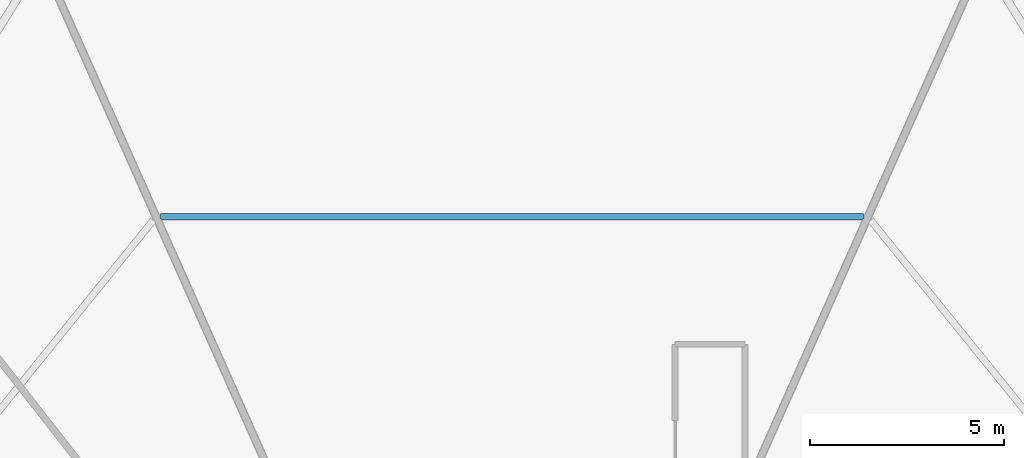
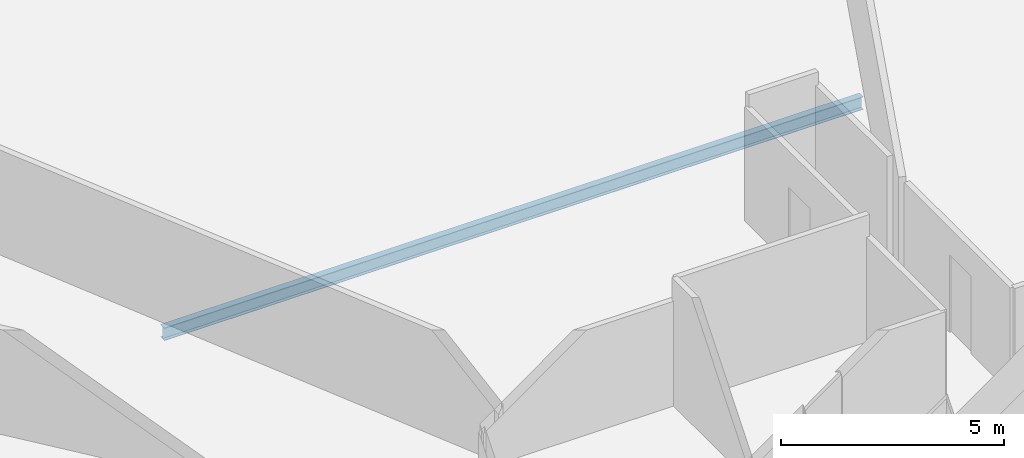
# One storey, part 19 of 33: 1 beam.
"""IFC4 building model written with IfcOpenShell, lengths in metres."""

from ifc_helpers import new_model, si_unit, direction, frame, origin, origin_2d, place, context, subcontext, project, spatial, i_section, extrude, source, transform, mapped, material, material_profile, profile_set, type_object, element, save


model = new_model("IFC4")

# Units and contexts
model_context = context("Model", 3, precision=1e-05, world=origin(), true_north=direction((0.0, 1.0)))
body_context = subcontext(model_context, "Body", "Model", "MODEL_VIEW")
ifc_project = project(units=[si_unit("LENGTHUNIT", "METRE"), si_unit("AREAUNIT", "SQUARE_METRE"), si_unit("VOLUMEUNIT", "CUBIC_METRE"), si_unit("PLANEANGLEUNIT", "RADIAN"), si_unit("MASSUNIT", "GRAM", prefix="KILO"), si_unit("THERMODYNAMICTEMPERATUREUNIT", "KELVIN"), si_unit("POWERUNIT", "WATT")], contexts=[model_context])

# Site, building, storey
site_placement = place(None, origin())
site = spatial("IfcSite", under=ifc_project, at=site_placement, CompositionType="ELEMENT")
building_placement = place(site_placement, origin())
building = spatial("IfcBuilding", under=site, at=building_placement, Name="Yunzhuo Pagoda Commons", CompositionType="ELEMENT")
storey_placement = place(building_placement, frame((0.0, 0.0, 307.39990234375)))
storey = spatial("IfcBuildingStorey", under=building, at=storey_placement, Name="L77", CompositionType="ELEMENT", Elevation=307.39990234375)

# Beam
ifc_material = material(Name="Structural steel Q355B", Category="steel")
ifc_material_profile = material_profile(ifc_material, i_section(OverallWidth=0.175048828125, OverallDepth=0.35009765625, WebThickness=0.007080078125, FlangeThickness=0.010986328125, at=origin_2d()), Name="Structural steel Q355B")
ifc_profile_set = profile_set([ifc_material_profile], Name="Structural steel Q355B")
beam_type = type_object("IfcBeamType", Name="B-JS2 Joist HN 350x175x7x11", PredefinedType="JOIST", material=ifc_profile_set)
shared_shape = source(origin(), body_context, "Body", "SweptSolid", [
    extrude(i_section(OverallWidth=0.175048828125, OverallDepth=0.35009765625, WebThickness=0.007080078125, FlangeThickness=0.010986328125, at=origin_2d()), origin(), (0.0, 0.0, 1.0), 18.09765625),
])
beam_placement = place(storey_placement, frame((57.048828125, 54.2822265625, -0.434814453125), z_axis=(-1.0, 0.0, 0.0), x_axis=(0.0, -1.0, 0.0)))
element("IfcBeam", 1, at=beam_placement, inside=storey, type_object=beam_type, Name="L77 composite ring joist 2.8", PredefinedType="JOIST", context=body_context, shape_type="MappedRepresentation", body=[
    mapped(shared_shape, transform((0.0, 0.0, 0.0), scale=1.0)),
])

save(model, "model.ifc")
